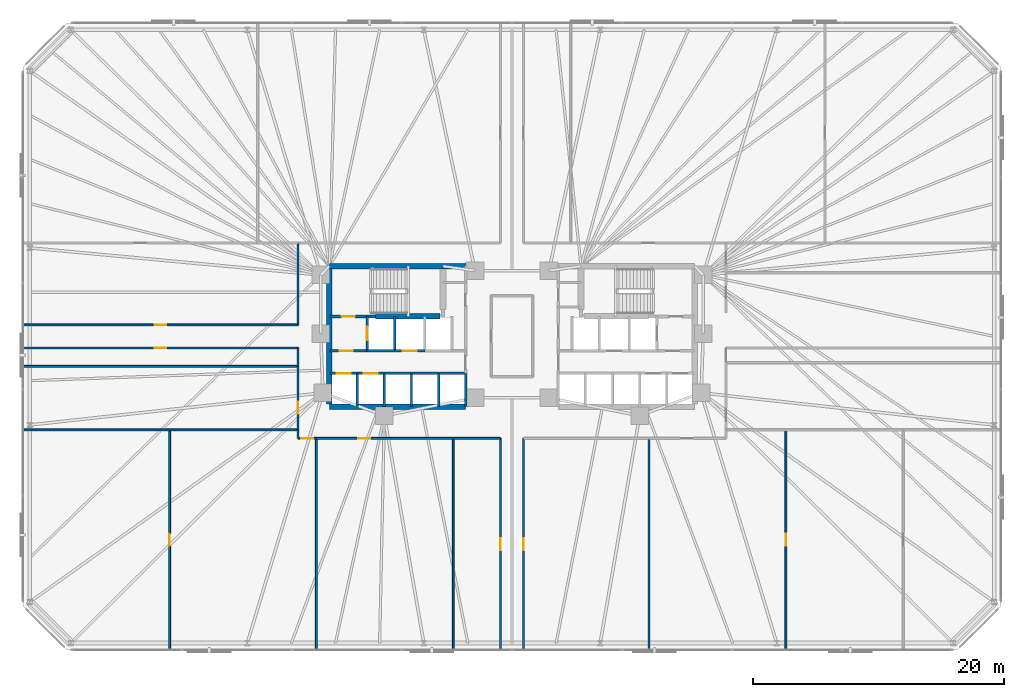
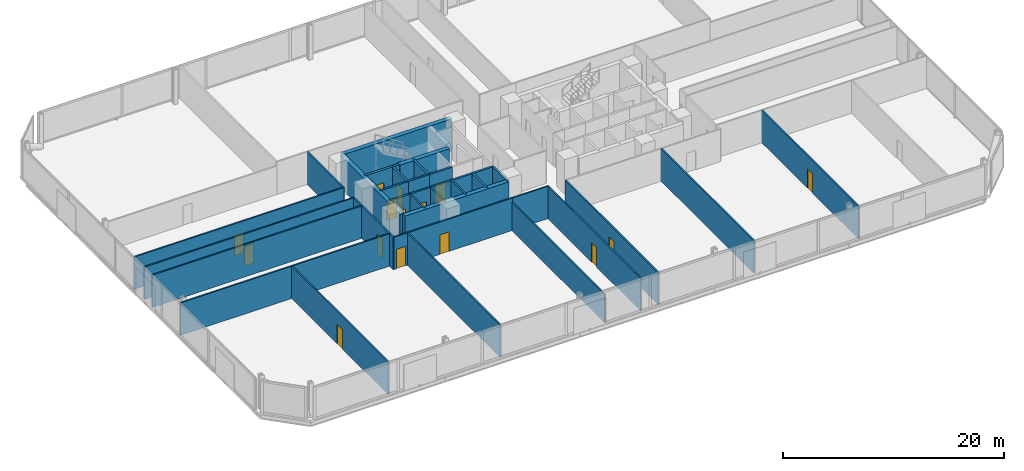
# One storey, part 12 of 17: 35 walls, 15 doors, 15 openings.
"""IFC4 building model written with IfcOpenShell, lengths in metres."""

from ifc_helpers import new_model, si_unit, direction, frame, frame_2d, origin, place, context, subcontext, project, spatial, rectangle, extrude, material, layer, layer_set, type_object, element, fill, save


model = new_model("IFC4")

# Units and contexts
model_context = context("Model", 3, precision=1e-05, world=origin(), true_north=direction((0.0, 1.0)))
body_context = subcontext(model_context, "Body", "Model", "MODEL_VIEW")
ifc_project = project(units=[si_unit("LENGTHUNIT", "METRE"), si_unit("AREAUNIT", "SQUARE_METRE"), si_unit("VOLUMEUNIT", "CUBIC_METRE"), si_unit("PLANEANGLEUNIT", "RADIAN"), si_unit("MASSUNIT", "GRAM", prefix="KILO")], contexts=[model_context])

# Site, building, storey
site_placement = place(None, origin())
site = spatial("IfcSite", under=ifc_project, at=site_placement, CompositionType="ELEMENT")
building_placement = place(site_placement, origin())
building = spatial("IfcBuilding", under=site, at=building_placement, Name="Menara Jurai Vektor", CompositionType="ELEMENT")
storey_placement = place(building_placement, frame((0.0, 0.0, 56.0)))
storey = spatial("IfcBuildingStorey", under=building, at=storey_placement, Name="L13", CompositionType="ELEMENT", Elevation=56.0)

# Wall, opening, door
ifc_material_1 = material(Name="Concrete C40/50", Category="concrete")
ifc_layer_1 = layer(ifc_material_1, 0.25)
ifc_layer_set_1 = layer_set([ifc_layer_1], Name="Concrete C40/50")
wall_type_1 = type_object("IfcWallType", Name="INT-WALL-CORE-250", PredefinedType="STANDARD", material=ifc_layer_set_1)
wall_1_placement = place(storey_placement, frame((-14.5, 1.60009765625, 0.0), z_axis=(0.0, 0.0, 1.0), x_axis=(1.0, 0.0, 0.0)))
wall_1 = element("IfcWall", 1, at=wall_1_placement, inside=storey, type_object=wall_type_1, Name="Interior Wall IW-250 L13", PredefinedType="STANDARD", context=body_context, shape_type="SweptSolid", body=[
    extrude(rectangle(XDim=3.60009765625, YDim=0.25, at=frame_2d((1.800048828125, 0.0))), origin(), (0.0, 0.0, 1.0), 3.574951171875),
])
opening_1_placement = place(wall_1_placement, frame((0.919921875, 0.0, 0.0)))
opening_1 = element("IfcOpeningElement", 2, at=opening_1_placement, cuts=wall_1, Name="Opening D-L13-ST1", PredefinedType="OPENING", context=body_context, shape_type="SweptSolid", body=[
    extrude(rectangle(XDim=1.050048828125, YDim=2.14990234375, at=frame_2d((0.52490234375, 1.074951171875))), frame((0.0, 0.135009765625, 0.0), z_axis=(0.0, -1.0, 0.0), x_axis=(1.0, 0.0, 0.0)), (0.0, 0.0, 1.0), 0.27001953125),
])
ifc_material_2 = material(Name="Fire-Rated Steel Door", Category="steel")
door_type_1 = type_object("IfcDoorType", Name="DR-STAIR-1050", OperationType="NOTDEFINED", PredefinedType="DOOR", material=ifc_material_2)
door_1_placement = place(opening_1_placement, origin())
door_1 = element("IfcDoor", 3, at=door_1_placement, inside=storey, type_object=door_type_1, Name="Exit Stair ST1 Door L13", OperationType="SINGLE_SWING_RIGHT", OverallHeight=2.14990234375, OverallWidth=1.050048828125, PredefinedType="DOOR", context=body_context, shape_type="SweptSolid", body=[
    extrude(rectangle(XDim=1.050048828125, YDim=2.14990234375, at=frame_2d((0.52490234375, 1.074951171875))), frame((0.0, 0.02490234375, 0.0), z_axis=(0.0, -1.0, 0.0), x_axis=(1.0, 0.0, 0.0)), (0.0, 0.0, 1.0), 0.050048828125),
])
fill(opening_1, door_1)

wall_2_placement = place(storey_placement, frame((-11.550048828125, -1.14990234375, 0.0), z_axis=(0.0, 0.0, 1.0), x_axis=(0.0, 1.0, 0.0)))
wall_2 = element("IfcWall", 4, at=wall_2_placement, inside=storey, type_object=wall_type_1, Name="Interior Wall IW-250 L13", PredefinedType="STANDARD", context=body_context, shape_type="SweptSolid", body=[
    extrude(rectangle(XDim=2.75, YDim=0.199951171875, at=frame_2d((1.375, 0.0))), origin(), (0.0, 0.0, 1.0), 3.574951171875),
])
opening_2_placement = place(wall_2_placement, frame((0.824951171875, 0.0, 0.0)))
opening_2 = element("IfcOpeningElement", 5, at=opening_2_placement, cuts=wall_2, Name="Opening LD-L13-FL1", PredefinedType="OPENING", context=body_context, shape_type="SweptSolid", body=[
    extrude(rectangle(XDim=1.10009765625, YDim=2.14990234375, at=frame_2d((0.550048828125, 1.074951171875))), frame((0.0, 0.10986328125, 0.0), z_axis=(0.0, -1.0, 0.0), x_axis=(1.0, 0.0, 0.0)), (0.0, 0.0, 1.0), 0.219970703125),
])
ifc_material_3 = material(Name="Stainless Steel Sliding Lift Landing Door", Category="steel")
door_type_2 = type_object("IfcDoorType", Name="DR-LIFT-FIRE-1100", OperationType="NOTDEFINED", PredefinedType="DOOR", material=ifc_material_3)
door_2_placement = place(opening_2_placement, origin())
door_2 = element("IfcDoor", 6, at=door_2_placement, inside=storey, type_object=door_type_2, Name="Lift Landing Door FL1 L13", OperationType="SLIDING_TO_RIGHT", OverallHeight=2.14990234375, OverallWidth=1.10009765625, PredefinedType="DOOR", context=body_context, shape_type="SweptSolid", body=[
    extrude(rectangle(XDim=1.10009765625, YDim=2.14990234375, at=frame_2d((0.550048828125, 1.074951171875))), frame((0.0, 0.02490234375, 0.0), z_axis=(0.0, -1.0, 0.0), x_axis=(1.0, 0.0, 0.0)), (0.0, 0.0, 1.0), 0.050048828125),
])
fill(opening_2, door_2)

# Wall
wall_3_placement = place(storey_placement, frame((-9.35009765625, -1.14990234375, 0.0), z_axis=(0.0, 0.0, 1.0), x_axis=(0.0, 1.0, 0.0)))
element("IfcWall", 7, at=wall_3_placement, inside=storey, type_object=wall_type_1, Name="Interior Wall IW-250 L13", PredefinedType="STANDARD", context=body_context, shape_type="SweptSolid", body=[
    extrude(rectangle(XDim=2.75, YDim=0.199951171875, at=frame_2d((1.375, 0.0))), origin(), (0.0, 0.0, 1.0), 3.574951171875),
])

# Wall, opening, door
wall_4_placement = place(storey_placement, frame((-14.5, -1.14990234375, 0.0), z_axis=(0.0, 0.0, 1.0), x_axis=(1.0, 0.0, 0.0)))
wall_4 = element("IfcWall", 8, at=wall_4_placement, inside=storey, type_object=wall_type_1, Name="Interior Wall IW-250 L13", PredefinedType="STANDARD", context=body_context, shape_type="SweptSolid", body=[
    extrude(rectangle(XDim=2.949951171875, YDim=0.199951171875, at=frame_2d((1.47509765625, 0.0))), origin(), (0.0, 0.0, 1.0), 3.574951171875),
])
opening_3_placement = place(wall_4_placement, frame((0.75, 0.0, 0.0)))
opening_3 = element("IfcOpeningElement", 9, at=opening_3_placement, cuts=wall_4, Name="Opening D-L13-FFW", PredefinedType="OPENING", context=body_context, shape_type="SweptSolid", body=[
    extrude(rectangle(XDim=1.050048828125, YDim=2.179931640625, at=frame_2d((0.52490234375, 1.08984375))), frame((0.0, 0.10986328125, 0.0), z_axis=(0.0, -1.0, 0.0), x_axis=(1.0, 0.0, 0.0)), (0.0, 0.0, 1.0), 0.219970703125),
])
ifc_material_4 = material(Name="Fire-Rated Timber Door", Category="wood")
door_type_3 = type_object("IfcDoorType", Name="DR-LOBBY-1050", OperationType="NOTDEFINED", PredefinedType="DOOR", material=ifc_material_4)
door_3_placement = place(opening_3_placement, origin())
door_3 = element("IfcDoor", 10, at=door_3_placement, inside=storey, type_object=door_type_3, Name="Fire Lift Lobby Door W L13", OperationType="SINGLE_SWING_RIGHT", OverallHeight=2.179931640625, OverallWidth=1.050048828125, PredefinedType="DOOR", context=body_context, shape_type="SweptSolid", body=[
    extrude(rectangle(XDim=1.050048828125, YDim=2.179931640625, at=frame_2d((0.52490234375, 1.08984375))), frame((0.0, 0.02490234375, 0.0), z_axis=(0.0, -1.0, 0.0), x_axis=(1.0, 0.0, 0.0)), (0.0, 0.0, 1.0), 0.050048828125),
])
fill(opening_3, door_3)

# Walls
wall_5_placement = place(storey_placement, frame((-11.550048828125, -1.14990234375, 0.0), z_axis=(0.0, 0.0, 1.0), x_axis=(1.0, 0.0, 0.0)))
element("IfcWall", 11, at=wall_5_placement, inside=storey, type_object=wall_type_1, Name="Interior Wall IW-250 L13", PredefinedType="STANDARD", context=body_context, shape_type="SweptSolid", body=[
    extrude(rectangle(XDim=2.199951171875, YDim=0.199951171875, at=frame_2d((1.10009765625, 0.0))), origin(), (0.0, 0.0, 1.0), 3.574951171875),
])
ifc_material_5 = material(Name="Gypsum Fireboard Partition", Category="gypsum")
ifc_layer_2 = layer(ifc_material_5, 0.14990234375)
ifc_layer_set_2 = layer_set([ifc_layer_2], Name="Gypsum Fireboard Partition")
wall_type_2 = type_object("IfcWallType", Name="INT-WALL-CORR-150", PredefinedType="PARTITIONING", material=ifc_layer_set_2)
wall_6_placement = place(storey_placement, frame((-17.05908203125, -8.1298828125, 0.0), z_axis=(0.0, 0.0, 1.0), x_axis=(0.0, 1.0, 0.0)))
element("IfcWall", 12, at=wall_6_placement, inside=storey, type_object=wall_type_2, Name="Interior Wall IW-150 L13", PredefinedType="PARTITIONING", context=body_context, shape_type="SweptSolid", body=[
    extrude(rectangle(XDim=0.679931640625, YDim=0.14990234375, at=frame_2d((0.33984375, 0.0))), origin(), (0.0, 0.0, 1.0), 3.574951171875),
])

# Wall, opening, door
wall_7_placement = place(storey_placement, frame((-17.05908203125, -8.1298828125, 0.0), z_axis=(0.0, 0.0, 1.0), x_axis=(1.0, 0.0, 0.0)))
wall_7 = element("IfcWall", 13, at=wall_7_placement, inside=storey, type_object=wall_type_2, Name="Interior Wall IW-150 L13", PredefinedType="PARTITIONING", context=body_context, shape_type="SweptSolid", body=[
    extrude(rectangle(XDim=1.458984375, YDim=0.14990234375, at=frame_2d((0.7294921875, 0.0))), origin(), (0.0, 0.0, 1.0), 3.574951171875),
])
opening_4_placement = place(wall_7_placement, frame((0.25439453125, 0.0, 0.0)))
opening_4 = element("IfcOpeningElement", 14, at=opening_4_placement, cuts=wall_7, Name="Opening D13-08", PredefinedType="OPENING", context=body_context, shape_type="SweptSolid", body=[
    extrude(rectangle(XDim=0.949951171875, YDim=2.14990234375, at=frame_2d((0.47509765625, 1.074951171875))), frame((0.0, 0.0849609375, 0.0), z_axis=(0.0, -1.0, 0.0), x_axis=(1.0, 0.0, 0.0)), (0.0, 0.0, 1.0), 0.169921875),
])
ifc_material_6 = material(Name="Solid Core Timber Fire Door", Category="wood")
door_type_4 = type_object("IfcDoorType", Name="DR-ENTRY-950", OperationType="NOTDEFINED", PredefinedType="DOOR", material=ifc_material_6)
door_4_placement = place(opening_4_placement, origin())
door_4 = element("IfcDoor", 15, at=door_4_placement, inside=storey, type_object=door_type_4, Name="Interior Door D13-08", OperationType="SINGLE_SWING_LEFT", OverallHeight=2.14990234375, OverallWidth=0.949951171875, PredefinedType="DOOR", context=body_context, shape_type="SweptSolid", body=[
    extrude(rectangle(XDim=0.949951171875, YDim=2.14990234375, at=frame_2d((0.47509765625, 1.074951171875))), frame((0.0, 0.02490234375, 0.0), z_axis=(0.0, -1.0, 0.0), x_axis=(1.0, 0.0, 0.0)), (0.0, 0.0, 1.0), 0.050048828125),
])
fill(opening_4, door_4)

wall_8_placement = place(storey_placement, frame((-15.60009765625, -8.1298828125, 0.0), z_axis=(0.0, 0.0, 1.0), x_axis=(1.0, 0.0, 0.0)))
wall_8 = element("IfcWall", 16, at=wall_8_placement, inside=storey, type_object=wall_type_2, Name="Interior Wall IW-150 L13", PredefinedType="PARTITIONING", context=body_context, shape_type="SweptSolid", body=[
    extrude(rectangle(XDim=10.920166015625, YDim=0.14990234375, at=frame_2d((5.4599609375, 0.0))), origin(), (0.0, 0.0, 1.0), 3.574951171875),
])
opening_5_placement = place(wall_8_placement, frame((3.346923828125, 0.0, 0.0)))
opening_5 = element("IfcOpeningElement", 17, at=opening_5_placement, cuts=wall_8, Name="Opening D13-09", PredefinedType="OPENING", context=body_context, shape_type="SweptSolid", body=[
    extrude(rectangle(XDim=0.949951171875, YDim=2.14990234375, at=frame_2d((0.47509765625, 1.074951171875))), frame((0.0, 0.0849609375, 0.0), z_axis=(0.0, -1.0, 0.0), x_axis=(1.0, 0.0, 0.0)), (0.0, 0.0, 1.0), 0.169921875),
])
door_5_placement = place(opening_5_placement, origin())
door_5 = element("IfcDoor", 18, at=door_5_placement, inside=storey, type_object=door_type_4, Name="Interior Door D13-09", OperationType="SINGLE_SWING_RIGHT", OverallHeight=2.14990234375, OverallWidth=0.949951171875, PredefinedType="DOOR", context=body_context, shape_type="SweptSolid", body=[
    extrude(rectangle(XDim=0.949951171875, YDim=2.14990234375, at=frame_2d((0.47509765625, 1.074951171875))), frame((0.0, 0.02490234375, 0.0), z_axis=(0.0, -1.0, 0.0), x_axis=(1.0, 0.0, 0.0)), (0.0, 0.0, 1.0), 0.050048828125),
])
fill(opening_5, door_5)

# Wall
wall_9_placement = place(storey_placement, frame((-4.679931640625, -8.1298828125, 0.0), z_axis=(0.0, 0.0, 1.0), x_axis=(1.0, 0.0, 0.0)))
element("IfcWall", 19, at=wall_9_placement, inside=storey, type_object=wall_type_2, Name="Interior Wall IW-150 L13", PredefinedType="PARTITIONING", context=body_context, shape_type="SweptSolid", body=[
    extrude(rectangle(XDim=3.760009765625, YDim=0.14990234375, at=frame_2d((1.8798828125, 0.0))), origin(), (0.0, 0.0, 1.0), 3.574951171875),
])

# Wall, opening, door
wall_10_placement = place(storey_placement, frame((-0.919921875, -25.0, 0.0), z_axis=(0.0, 0.0, 1.0), x_axis=(0.0, 1.0, 0.0)))
wall_10 = element("IfcWall", 20, at=wall_10_placement, inside=storey, type_object=wall_type_2, Name="Interior Wall IW-150 L13", PredefinedType="PARTITIONING", context=body_context, shape_type="SweptSolid", body=[
    extrude(rectangle(XDim=16.8701171875, YDim=0.14990234375, at=frame_2d((8.43505859375, 0.0))), origin(), (0.0, 0.0, 1.0), 3.574951171875),
])
opening_6_placement = place(wall_10_placement, frame((7.9599609375, 0.0, 0.0)))
opening_6 = element("IfcOpeningElement", 21, at=opening_6_placement, cuts=wall_10, Name="Opening D13-10", PredefinedType="OPENING", context=body_context, shape_type="SweptSolid", body=[
    extrude(rectangle(XDim=0.949951171875, YDim=2.14990234375, at=frame_2d((0.47509765625, 1.074951171875))), frame((0.0, 0.0849609375, 0.0), z_axis=(0.0, -1.0, 0.0), x_axis=(1.0, 0.0, 0.0)), (0.0, 0.0, 1.0), 0.169921875),
])
door_6_placement = place(opening_6_placement, origin())
door_6 = element("IfcDoor", 22, at=door_6_placement, inside=storey, type_object=door_type_4, Name="Interior Door D13-10", OperationType="SINGLE_SWING_LEFT", OverallHeight=2.14990234375, OverallWidth=0.949951171875, PredefinedType="DOOR", context=body_context, shape_type="SweptSolid", body=[
    extrude(rectangle(XDim=0.949951171875, YDim=2.14990234375, at=frame_2d((0.47509765625, 1.074951171875))), frame((0.0, 0.02490234375, 0.0), z_axis=(0.0, -1.0, 0.0), x_axis=(1.0, 0.0, 0.0)), (0.0, 0.0, 1.0), 0.050048828125),
])
fill(opening_6, door_6)

wall_11_placement = place(storey_placement, frame((0.919921875, -25.0, 0.0), z_axis=(0.0, 0.0, 1.0), x_axis=(0.0, 1.0, 0.0)))
wall_11 = element("IfcWall", 23, at=wall_11_placement, inside=storey, type_object=wall_type_2, Name="Interior Wall IW-150 L13", PredefinedType="PARTITIONING", context=body_context, shape_type="SweptSolid", body=[
    extrude(rectangle(XDim=16.8701171875, YDim=0.14990234375, at=frame_2d((8.43505859375, 0.0))), origin(), (0.0, 0.0, 1.0), 3.574951171875),
])
opening_7_placement = place(wall_11_placement, frame((7.9599609375, 0.0, 0.0)))
opening_7 = element("IfcOpeningElement", 24, at=opening_7_placement, cuts=wall_11, Name="Opening D13-11", PredefinedType="OPENING", context=body_context, shape_type="SweptSolid", body=[
    extrude(rectangle(XDim=0.949951171875, YDim=2.14990234375, at=frame_2d((0.47509765625, 1.074951171875))), frame((0.0, 0.0849609375, 0.0), z_axis=(0.0, -1.0, 0.0), x_axis=(1.0, 0.0, 0.0)), (0.0, 0.0, 1.0), 0.169921875),
])
door_7_placement = place(opening_7_placement, origin())
door_7 = element("IfcDoor", 25, at=door_7_placement, inside=storey, type_object=door_type_4, Name="Interior Door D13-11", OperationType="SINGLE_SWING_RIGHT", OverallHeight=2.14990234375, OverallWidth=0.949951171875, PredefinedType="DOOR", context=body_context, shape_type="SweptSolid", body=[
    extrude(rectangle(XDim=0.949951171875, YDim=2.14990234375, at=frame_2d((0.47509765625, 1.074951171875))), frame((0.0, 0.02490234375, 0.0), z_axis=(0.0, -1.0, 0.0), x_axis=(1.0, 0.0, 0.0)), (0.0, 0.0, 1.0), 0.050048828125),
])
fill(opening_7, door_7)

wall_12_placement = place(storey_placement, frame((-17.05908203125, -7.449951171875, 0.0), z_axis=(0.0, 0.0, 1.0), x_axis=(0.0, 1.0, 0.0)))
wall_12 = element("IfcWall", 26, at=wall_12_placement, inside=storey, type_object=wall_type_2, Name="Interior Wall IW-150 L13", PredefinedType="PARTITIONING", context=body_context, shape_type="SweptSolid", body=[
    extrude(rectangle(XDim=5.06591796875, YDim=0.14990234375, at=frame_2d((2.532958984375, 0.0))), origin(), (0.0, 0.0, 1.0), 3.574951171875),
])
opening_8_placement = place(wall_12_placement, frame((1.298095703125, 0.0, 0.0)))
opening_8 = element("IfcOpeningElement", 27, at=opening_8_placement, cuts=wall_12, Name="Opening D13-13", PredefinedType="OPENING", context=body_context, shape_type="SweptSolid", body=[
    extrude(rectangle(XDim=0.949951171875, YDim=2.14990234375, at=frame_2d((0.47509765625, 1.074951171875))), frame((0.0, 0.0849609375, 0.0), z_axis=(0.0, -1.0, 0.0), x_axis=(1.0, 0.0, 0.0)), (0.0, 0.0, 1.0), 0.169921875),
])
door_8_placement = place(opening_8_placement, origin())
door_8 = element("IfcDoor", 28, at=door_8_placement, inside=storey, type_object=door_type_4, Name="Interior Door D13-13", OperationType="SINGLE_SWING_RIGHT", OverallHeight=2.14990234375, OverallWidth=0.949951171875, PredefinedType="DOOR", context=body_context, shape_type="SweptSolid", body=[
    extrude(rectangle(XDim=0.949951171875, YDim=2.14990234375, at=frame_2d((0.47509765625, 1.074951171875))), frame((0.0, 0.02490234375, 0.0), z_axis=(0.0, -1.0, 0.0), x_axis=(1.0, 0.0, 0.0)), (0.0, 0.0, 1.0), 0.050048828125),
])
fill(opening_8, door_8)

wall_13_placement = place(storey_placement, frame((-39.0, -0.919921875, 0.0), z_axis=(0.0, 0.0, 1.0), x_axis=(1.0, 0.0, 0.0)))
wall_13 = element("IfcWall", 29, at=wall_13_placement, inside=storey, type_object=wall_type_2, Name="Interior Wall IW-150 L13", PredefinedType="PARTITIONING", context=body_context, shape_type="SweptSolid", body=[
    extrude(rectangle(XDim=21.94091796875, YDim=0.14990234375, at=frame_2d((10.970458984375, 0.0))), origin(), (0.0, 0.0, 1.0), 3.574951171875),
])
opening_9_placement = place(wall_13_placement, frame((10.49560546875, 0.0, 0.0)))
opening_9 = element("IfcOpeningElement", 30, at=opening_9_placement, cuts=wall_13, Name="Opening D13-14", PredefinedType="OPENING", context=body_context, shape_type="SweptSolid", body=[
    extrude(rectangle(XDim=0.949951171875, YDim=2.14990234375, at=frame_2d((0.47509765625, 1.074951171875))), frame((0.0, 0.0849609375, 0.0), z_axis=(0.0, -1.0, 0.0), x_axis=(1.0, 0.0, 0.0)), (0.0, 0.0, 1.0), 0.169921875),
])
door_9_placement = place(opening_9_placement, origin())
door_9 = element("IfcDoor", 31, at=door_9_placement, inside=storey, type_object=door_type_4, Name="Interior Door D13-14", OperationType="SINGLE_SWING_LEFT", OverallHeight=2.14990234375, OverallWidth=0.949951171875, PredefinedType="DOOR", context=body_context, shape_type="SweptSolid", body=[
    extrude(rectangle(XDim=0.949951171875, YDim=2.14990234375, at=frame_2d((0.47509765625, 1.074951171875))), frame((0.0, 0.02490234375, 0.0), z_axis=(0.0, -1.0, 0.0), x_axis=(1.0, 0.0, 0.0)), (0.0, 0.0, 1.0), 0.050048828125),
])
fill(opening_9, door_9)

# Wall
wall_14_placement = place(storey_placement, frame((-17.05908203125, -2.384033203125, 0.0), z_axis=(0.0, 0.0, 1.0), x_axis=(0.0, 1.0, 0.0)))
element("IfcWall", 32, at=wall_14_placement, inside=storey, type_object=wall_type_2, Name="Interior Wall IW-150 L13", PredefinedType="PARTITIONING", context=body_context, shape_type="SweptSolid", body=[
    extrude(rectangle(XDim=1.464111328125, YDim=0.14990234375, at=frame_2d((0.73193359375, 0.0))), origin(), (0.0, 0.0, 1.0), 3.574951171875),
])

# Wall, opening, door
wall_15_placement = place(storey_placement, frame((-39.0, 0.919921875, 0.0), z_axis=(0.0, 0.0, 1.0), x_axis=(1.0, 0.0, 0.0)))
wall_15 = element("IfcWall", 33, at=wall_15_placement, inside=storey, type_object=wall_type_2, Name="Interior Wall IW-150 L13", PredefinedType="PARTITIONING", context=body_context, shape_type="SweptSolid", body=[
    extrude(rectangle(XDim=21.94091796875, YDim=0.14990234375, at=frame_2d((10.970458984375, 0.0))), origin(), (0.0, 0.0, 1.0), 3.574951171875),
])
opening_10_placement = place(wall_15_placement, frame((10.49560546875, 0.0, 0.0)))
opening_10 = element("IfcOpeningElement", 34, at=opening_10_placement, cuts=wall_15, Name="Opening D13-15", PredefinedType="OPENING", context=body_context, shape_type="SweptSolid", body=[
    extrude(rectangle(XDim=0.949951171875, YDim=2.14990234375, at=frame_2d((0.47509765625, 1.074951171875))), frame((0.0, 0.0849609375, 0.0), z_axis=(0.0, -1.0, 0.0), x_axis=(1.0, 0.0, 0.0)), (0.0, 0.0, 1.0), 0.169921875),
])
door_10_placement = place(opening_10_placement, origin())
door_10 = element("IfcDoor", 35, at=door_10_placement, inside=storey, type_object=door_type_4, Name="Interior Door D13-15", OperationType="SINGLE_SWING_RIGHT", OverallHeight=2.14990234375, OverallWidth=0.949951171875, PredefinedType="DOOR", context=body_context, shape_type="SweptSolid", body=[
    extrude(rectangle(XDim=0.949951171875, YDim=2.14990234375, at=frame_2d((0.47509765625, 1.074951171875))), frame((0.0, 0.02490234375, 0.0), z_axis=(0.0, -1.0, 0.0), x_axis=(1.0, 0.0, 0.0)), (0.0, 0.0, 1.0), 0.050048828125),
])
fill(opening_10, door_10)

# Wall
wall_16_placement = place(storey_placement, frame((-17.05908203125, 0.919921875, 0.0), z_axis=(0.0, 0.0, 1.0), x_axis=(0.0, 1.0, 0.0)))
element("IfcWall", 36, at=wall_16_placement, inside=storey, type_object=wall_type_2, Name="Interior Wall IW-150 L13", PredefinedType="PARTITIONING", context=body_context, shape_type="SweptSolid", body=[
    extrude(rectangle(XDim=6.530029296875, YDim=0.14990234375, at=frame_2d((3.26513671875, 0.0))), origin(), (0.0, 0.0, 1.0), 3.574951171875),
])

# Wall, opening, door
wall_17_placement = place(storey_placement, frame((-27.300048828125, -25.0, 0.0), z_axis=(0.0, 0.0, 1.0), x_axis=(0.0, 1.0, 0.0)))
wall_17 = element("IfcWall", 37, at=wall_17_placement, inside=storey, type_object=wall_type_2, Name="Interior Wall IW-150 L13", PredefinedType="PARTITIONING", context=body_context, shape_type="SweptSolid", body=[
    extrude(rectangle(XDim=17.550048828125, YDim=0.14990234375, at=frame_2d((8.77490234375, 0.0))), origin(), (0.0, 0.0, 1.0), 3.574951171875),
])
opening_11_placement = place(wall_17_placement, frame((8.300048828125, 0.0, 0.0)))
opening_11 = element("IfcOpeningElement", 38, at=opening_11_placement, cuts=wall_17, Name="Opening D13-22", PredefinedType="OPENING", context=body_context, shape_type="SweptSolid", body=[
    extrude(rectangle(XDim=0.949951171875, YDim=2.14990234375, at=frame_2d((0.47509765625, 1.074951171875))), frame((0.0, 0.0849609375, 0.0), z_axis=(0.0, -1.0, 0.0), x_axis=(1.0, 0.0, 0.0)), (0.0, 0.0, 1.0), 0.169921875),
])
door_11_placement = place(opening_11_placement, origin())
door_11 = element("IfcDoor", 39, at=door_11_placement, inside=storey, type_object=door_type_4, Name="Interior Door D13-22", OperationType="SINGLE_SWING_LEFT", OverallHeight=2.14990234375, OverallWidth=0.949951171875, PredefinedType="DOOR", context=body_context, shape_type="SweptSolid", body=[
    extrude(rectangle(XDim=0.949951171875, YDim=2.14990234375, at=frame_2d((0.47509765625, 1.074951171875))), frame((0.0, 0.02490234375, 0.0), z_axis=(0.0, -1.0, 0.0), x_axis=(1.0, 0.0, 0.0)), (0.0, 0.0, 1.0), 0.050048828125),
])
fill(opening_11, door_11)

# Walls
wall_18_placement = place(storey_placement, frame((-39.0, -7.449951171875, 0.0), z_axis=(0.0, 0.0, 1.0), x_axis=(1.0, 0.0, 0.0)))
element("IfcWall", 40, at=wall_18_placement, inside=storey, type_object=wall_type_2, Name="Interior Wall IW-150 L13", PredefinedType="PARTITIONING", context=body_context, shape_type="SweptSolid", body=[
    extrude(rectangle(XDim=11.699951171875, YDim=0.14990234375, at=frame_2d((5.85009765625, 0.0))), origin(), (0.0, 0.0, 1.0), 3.574951171875),
])
wall_19_placement = place(storey_placement, frame((-15.60009765625, -25.0, 0.0), z_axis=(0.0, 0.0, 1.0), x_axis=(0.0, 1.0, 0.0)))
element("IfcWall", 41, at=wall_19_placement, inside=storey, type_object=wall_type_2, Name="Interior Wall IW-150 L13", PredefinedType="PARTITIONING", context=body_context, shape_type="SweptSolid", body=[
    extrude(rectangle(XDim=16.8701171875, YDim=0.14990234375, at=frame_2d((8.43505859375, 0.0))), origin(), (0.0, 0.0, 1.0), 3.574951171875),
])
wall_20_placement = place(storey_placement, frame((-27.300048828125, -7.449951171875, 0.0), z_axis=(0.0, 0.0, 1.0), x_axis=(1.0, 0.0, 0.0)))
element("IfcWall", 42, at=wall_20_placement, inside=storey, type_object=wall_type_2, Name="Interior Wall IW-150 L13", PredefinedType="PARTITIONING", context=body_context, shape_type="SweptSolid", body=[
    extrude(rectangle(XDim=10.240966796875, YDim=0.14990234375, at=frame_2d((5.12060546875, 0.0))), origin(), (0.0, 0.0, 1.0), 3.574951171875),
])
wall_21_placement = place(storey_placement, frame((10.919921875, -25.0, 0.0), z_axis=(0.0, 0.0, 1.0), x_axis=(0.0, 1.0, 0.0)))
element("IfcWall", 43, at=wall_21_placement, inside=storey, type_object=wall_type_2, Name="Interior Wall IW-150 L13", PredefinedType="PARTITIONING", context=body_context, shape_type="SweptSolid", body=[
    extrude(rectangle(XDim=16.8701171875, YDim=0.14990234375, at=frame_2d((8.43505859375, 0.0))), origin(), (0.0, 0.0, 1.0), 3.574951171875),
])

# Wall, opening, door
wall_22_placement = place(storey_placement, frame((21.840087890625, -25.0, 0.0), z_axis=(0.0, 0.0, 1.0), x_axis=(0.0, 1.0, 0.0)))
wall_22 = element("IfcWall", 44, at=wall_22_placement, inside=storey, type_object=wall_type_2, Name="Interior Wall IW-150 L13", PredefinedType="PARTITIONING", context=body_context, shape_type="SweptSolid", body=[
    extrude(rectangle(XDim=17.550048828125, YDim=0.14990234375, at=frame_2d((8.77490234375, 0.0))), origin(), (0.0, 0.0, 1.0), 3.574951171875),
])
opening_12_placement = place(wall_22_placement, frame((8.300048828125, 0.0, 0.0)))
opening_12 = element("IfcOpeningElement", 45, at=opening_12_placement, cuts=wall_22, Name="Opening D13-23", PredefinedType="OPENING", context=body_context, shape_type="SweptSolid", body=[
    extrude(rectangle(XDim=0.949951171875, YDim=2.14990234375, at=frame_2d((0.47509765625, 1.074951171875))), frame((0.0, 0.0849609375, 0.0), z_axis=(0.0, -1.0, 0.0), x_axis=(1.0, 0.0, 0.0)), (0.0, 0.0, 1.0), 0.169921875),
])
door_12_placement = place(opening_12_placement, origin())
door_12 = element("IfcDoor", 46, at=door_12_placement, inside=storey, type_object=door_type_4, Name="Interior Door D13-23", OperationType="SINGLE_SWING_RIGHT", OverallHeight=2.14990234375, OverallWidth=0.949951171875, PredefinedType="DOOR", context=body_context, shape_type="SweptSolid", body=[
    extrude(rectangle(XDim=0.949951171875, YDim=2.14990234375, at=frame_2d((0.47509765625, 1.074951171875))), frame((0.0, 0.02490234375, 0.0), z_axis=(0.0, -1.0, 0.0), x_axis=(1.0, 0.0, 0.0)), (0.0, 0.0, 1.0), 0.050048828125),
])
fill(opening_12, door_12)

# Walls
wall_23_placement = place(storey_placement, frame((-39.0, -2.384033203125, 0.0), z_axis=(0.0, 0.0, 1.0), x_axis=(1.0, 0.0, 0.0)))
element("IfcWall", 47, at=wall_23_placement, inside=storey, type_object=wall_type_2, Name="Interior Wall IW-150 L13", PredefinedType="PARTITIONING", context=body_context, shape_type="SweptSolid", body=[
    extrude(rectangle(XDim=21.94091796875, YDim=0.14990234375, at=frame_2d((10.970458984375, 0.0))), origin(), (0.0, 0.0, 1.0), 3.574951171875),
])
ifc_layer_3 = layer(ifc_material_5, 0.14990234375)
ifc_layer_set_3 = layer_set([ifc_layer_3], Name="Gypsum Fireboard Partition")
wall_type_3 = type_object("IfcWallType", Name="INT-WALL-CORR-150-H1", PredefinedType="PARTITIONING", material=ifc_layer_set_3)
wall_24_placement = place(storey_placement, frame((-4.679931640625, -25.0, 0.0), z_axis=(0.0, 0.0, 1.0), x_axis=(0.0, 1.0, 0.0)))
element("IfcWall", 48, at=wall_24_placement, inside=storey, type_object=wall_type_3, Name="Interior Wall IW-150 L13", PredefinedType="PARTITIONING", context=body_context, shape_type="SweptSolid", body=[
    extrude(rectangle(XDim=16.8701171875, YDim=0.14990234375, at=frame_2d((8.43505859375, 0.0))), origin(), (0.0, 0.0, 1.0), 3.125),
])
ifc_layer_4 = layer(ifc_material_1, 0.199951171875)
ifc_layer_set_4 = layer_set([ifc_layer_4], Name="Concrete C40/50")
wall_type_4 = type_object("IfcWallType", Name="INT-WALL-SHAFT-200", PredefinedType="STANDARD", material=ifc_layer_set_4)
wall_25_placement = place(storey_placement, frame((-3.699951171875, -5.60009765625, 0.0), z_axis=(0.0, 0.0, 1.0), x_axis=(0.0, 1.0, 0.0)))
element("IfcWall", 49, at=wall_25_placement, inside=storey, type_object=wall_type_4, Name="Interior Wall IW-200 L13", PredefinedType="STANDARD", context=body_context, shape_type="SweptSolid", body=[
    extrude(rectangle(XDim=2.650146484375, YDim=0.199951171875, at=frame_2d((1.3251953125, 0.0))), origin(), (0.0, 0.0, 1.0), 3.574951171875),
])

# Wall, opening, door
wall_26_placement = place(storey_placement, frame((-9.35009765625, -1.14990234375, 0.0), z_axis=(0.0, 0.0, 1.0), x_axis=(1.0, 0.0, 0.0)))
wall_26 = element("IfcWall", 50, at=wall_26_placement, inside=storey, type_object=wall_type_4, Name="Interior Wall IW-200 L13", PredefinedType="STANDARD", context=body_context, shape_type="SweptSolid", body=[
    extrude(rectangle(XDim=2.400146484375, YDim=0.199951171875, at=frame_2d((1.2001953125, 0.0))), origin(), (0.0, 0.0, 1.0), 3.574951171875),
])
opening_13_placement = place(wall_26_placement, frame((0.64990234375, 0.0, 0.0)))
opening_13 = element("IfcOpeningElement", 51, at=opening_13_placement, cuts=wall_26, Name="Opening LD-L13-SVL1", PredefinedType="OPENING", context=body_context, shape_type="SweptSolid", body=[
    extrude(rectangle(XDim=1.10009765625, YDim=2.14990234375, at=frame_2d((0.550048828125, 1.074951171875))), frame((0.0, 0.10986328125, 0.0), z_axis=(0.0, -1.0, 0.0), x_axis=(1.0, 0.0, 0.0)), (0.0, 0.0, 1.0), 0.219970703125),
])
ifc_material_7 = material(Name="Anodised Stainless Sliding Lift Landing Door", Category="steel")
door_type_5 = type_object("IfcDoorType", Name="DR-LIFT-PASS-1100", OperationType="NOTDEFINED", PredefinedType="DOOR", material=ifc_material_7)
door_13_placement = place(opening_13_placement, origin())
door_13 = element("IfcDoor", 52, at=door_13_placement, inside=storey, type_object=door_type_5, Name="Lift Landing Door SVL1 L13", OperationType="SLIDING_TO_RIGHT", OverallHeight=2.14990234375, OverallWidth=1.10009765625, PredefinedType="DOOR", context=body_context, shape_type="SweptSolid", body=[
    extrude(rectangle(XDim=1.10009765625, YDim=2.14990234375, at=frame_2d((0.550048828125, 1.074951171875))), frame((0.0, 0.02490234375, 0.0), z_axis=(0.0, -1.0, 0.0), x_axis=(1.0, 0.0, 0.0)), (0.0, 0.0, 1.0), 0.050048828125),
])
fill(opening_13, door_13)

# Wall, openings, doors
wall_27_placement = place(storey_placement, frame((-14.5, -2.949951171875, 0.0), z_axis=(0.0, 0.0, 1.0), x_axis=(1.0, 0.0, 0.0)))
wall_27 = element("IfcWall", 53, at=wall_27_placement, inside=storey, type_object=wall_type_4, Name="Interior Wall IW-200 L13", PredefinedType="STANDARD", context=body_context, shape_type="SweptSolid", body=[
    extrude(rectangle(XDim=10.800048828125, YDim=0.199951171875, at=frame_2d((5.39990234375, 0.0))), origin(), (0.0, 0.0, 1.0), 3.574951171875),
])
opening_14_placement = place(wall_27_placement, frame((0.530029296875, 0.0, 0.0)))
opening_14 = element("IfcOpeningElement", 54, at=opening_14_placement, cuts=wall_27, Name="Opening LD-L13-PL1", PredefinedType="OPENING", context=body_context, shape_type="SweptSolid", body=[
    extrude(rectangle(XDim=1.10009765625, YDim=2.14990234375, at=frame_2d((0.550048828125, 1.074951171875))), frame((0.0, 0.10986328125, 0.0), z_axis=(0.0, -1.0, 0.0), x_axis=(1.0, 0.0, 0.0)), (0.0, 0.0, 1.0), 0.219970703125),
])
opening_15_placement = place(wall_27_placement, frame((2.68994140625, 0.0, 0.0)))
opening_15 = element("IfcOpeningElement", 55, at=opening_15_placement, cuts=wall_27, Name="Opening LD-L13-PL2", PredefinedType="OPENING", context=body_context, shape_type="SweptSolid", body=[
    extrude(rectangle(XDim=1.10009765625, YDim=2.14990234375, at=frame_2d((0.550048828125, 1.074951171875))), frame((0.0, 0.10986328125, 0.0), z_axis=(0.0, -1.0, 0.0), x_axis=(1.0, 0.0, 0.0)), (0.0, 0.0, 1.0), 0.219970703125),
])
door_14_placement = place(opening_14_placement, origin())
door_14 = element("IfcDoor", 56, at=door_14_placement, inside=storey, type_object=door_type_5, Name="Lift Landing Door PL1 L13", OperationType="SLIDING_TO_RIGHT", OverallHeight=2.14990234375, OverallWidth=1.10009765625, PredefinedType="DOOR", context=body_context, shape_type="SweptSolid", body=[
    extrude(rectangle(XDim=1.10009765625, YDim=2.14990234375, at=frame_2d((0.550048828125, 1.074951171875))), frame((0.0, 0.02490234375, 0.0), z_axis=(0.0, -1.0, 0.0), x_axis=(1.0, 0.0, 0.0)), (0.0, 0.0, 1.0), 0.050048828125),
])
fill(opening_14, door_14)
door_15_placement = place(opening_15_placement, origin())
door_15 = element("IfcDoor", 57, at=door_15_placement, inside=storey, type_object=door_type_5, Name="Lift Landing Door PL2 L13", OperationType="SLIDING_TO_RIGHT", OverallHeight=2.14990234375, OverallWidth=1.10009765625, PredefinedType="DOOR", context=body_context, shape_type="SweptSolid", body=[
    extrude(rectangle(XDim=1.10009765625, YDim=2.14990234375, at=frame_2d((0.550048828125, 1.074951171875))), frame((0.0, 0.02490234375, 0.0), z_axis=(0.0, -1.0, 0.0), x_axis=(1.0, 0.0, 0.0)), (0.0, 0.0, 1.0), 0.050048828125),
])
fill(opening_15, door_15)

# Walls
wall_28_placement = place(storey_placement, frame((-5.860107421875, -5.60009765625, 0.0), z_axis=(0.0, 0.0, 1.0), x_axis=(0.0, 1.0, 0.0)))
element("IfcWall", 58, at=wall_28_placement, inside=storey, type_object=wall_type_4, Name="Interior Wall IW-200 L13", PredefinedType="STANDARD", context=body_context, shape_type="SweptSolid", body=[
    extrude(rectangle(XDim=2.650146484375, YDim=0.199951171875, at=frame_2d((1.3251953125, 0.0))), origin(), (0.0, 0.0, 1.0), 3.574951171875),
])
for number, where, z_axis, x_axis, name in (
    (59, (-12.340087890625, -5.60009765625, 0.0), (0.0, 0.0, 1.0), (0.0, 1.0, 0.0), "Interior Wall IW-200 L13"),
    (60, (-10.179931640625, -5.60009765625, 0.0), (0.0, 0.0, 1.0), (0.0, 1.0, 0.0), "Interior Wall IW-200 L13"),
    (61, (-8.02001953125, -5.60009765625, 0.0), (0.0, 0.0, 1.0), (0.0, 1.0, 0.0), "Interior Wall IW-200 L13"),
):
    element("IfcWall", number, at=place(storey_placement, frame(where, z_axis=z_axis, x_axis=x_axis)), inside=storey, type_object=wall_type_4, Name=name, PredefinedType="STANDARD", context=body_context, shape_type="SweptSolid", body=[
        extrude(rectangle(XDim=2.650146484375, YDim=0.179931640625, at=frame_2d((1.3251953125, 0.0))), origin(), (0.0, 0.0, 1.0), 3.574951171875),
    ])
ifc_material_8 = material(Name="Concrete C60/75", Category="concrete")
ifc_layer_5 = layer(ifc_material_8, 0.449951171875)
ifc_layer_set_5 = layer_set([ifc_layer_5], Name="Concrete C60/75")
wall_type_5 = type_object("IfcWallType", Name="STR-WALL-CORE450", PredefinedType="SHEAR", material=ifc_layer_set_5)
wall_29_placement = place(storey_placement, frame((-14.56005859375, 5.60009765625, 0.0), z_axis=(0.0, 0.0, 1.0), x_axis=(1.0, 0.0, 0.0)))
element("IfcWall", 62, at=wall_29_placement, inside=storey, type_object=wall_type_5, Name="Core Shear Wall CW-W-N L13", PredefinedType="SHEAR", context=body_context, shape_type="SweptSolid", body=[
    extrude(rectangle(XDim=11.41015625, YDim=0.449951171875, at=frame_2d((5.705078125, 0.0))), origin(), (0.0, 0.0, 1.0), 3.574951171875),
])
wall_30_placement = place(storey_placement, frame((-14.56005859375, -5.60009765625, 0.0), z_axis=(0.0, 0.0, 1.0), x_axis=(1.0, 0.0, 0.0)))
element("IfcWall", 63, at=wall_30_placement, inside=storey, type_object=wall_type_5, Name="Core Shear Wall CW-W-S L13", PredefinedType="SHEAR", context=body_context, shape_type="SweptSolid", body=[
    extrude(rectangle(XDim=10.860107421875, YDim=0.449951171875, at=frame_2d((5.43017578125, 0.0))), origin(), (0.0, 0.0, 1.0), 3.574951171875),
])
wall_31_placement = place(storey_placement, frame((-14.56005859375, -5.375, 0.0), z_axis=(0.0, 0.0, 1.0), x_axis=(0.0, 1.0, 0.0)))
element("IfcWall", 64, at=wall_31_placement, inside=storey, type_object=wall_type_5, Name="Core Shear Wall CW-W-W L13", PredefinedType="SHEAR", context=body_context, shape_type="SweptSolid", body=[
    extrude(rectangle(XDim=10.75, YDim=0.449951171875, at=frame_2d((5.375, 0.0))), origin(), (0.0, 0.0, 1.0), 3.574951171875),
])
wall_32_placement = place(storey_placement, frame((-10.89990234375, 1.60009765625, 0.0), z_axis=(0.0, 0.0, 1.0), x_axis=(1.0, 0.0, 0.0)))
element("IfcWall", 65, at=wall_32_placement, inside=storey, type_object=wall_type_5, Name="Core Shear Wall CW-W-STS L13", PredefinedType="SHEAR", context=body_context, shape_type="SweptSolid", body=[
    extrude(rectangle(XDim=5.14990234375, YDim=0.449951171875, at=frame_2d((2.574951171875, 0.0))), origin(), (0.0, 0.0, 1.0), 3.574951171875),
])

save(model, "model.ifc")
